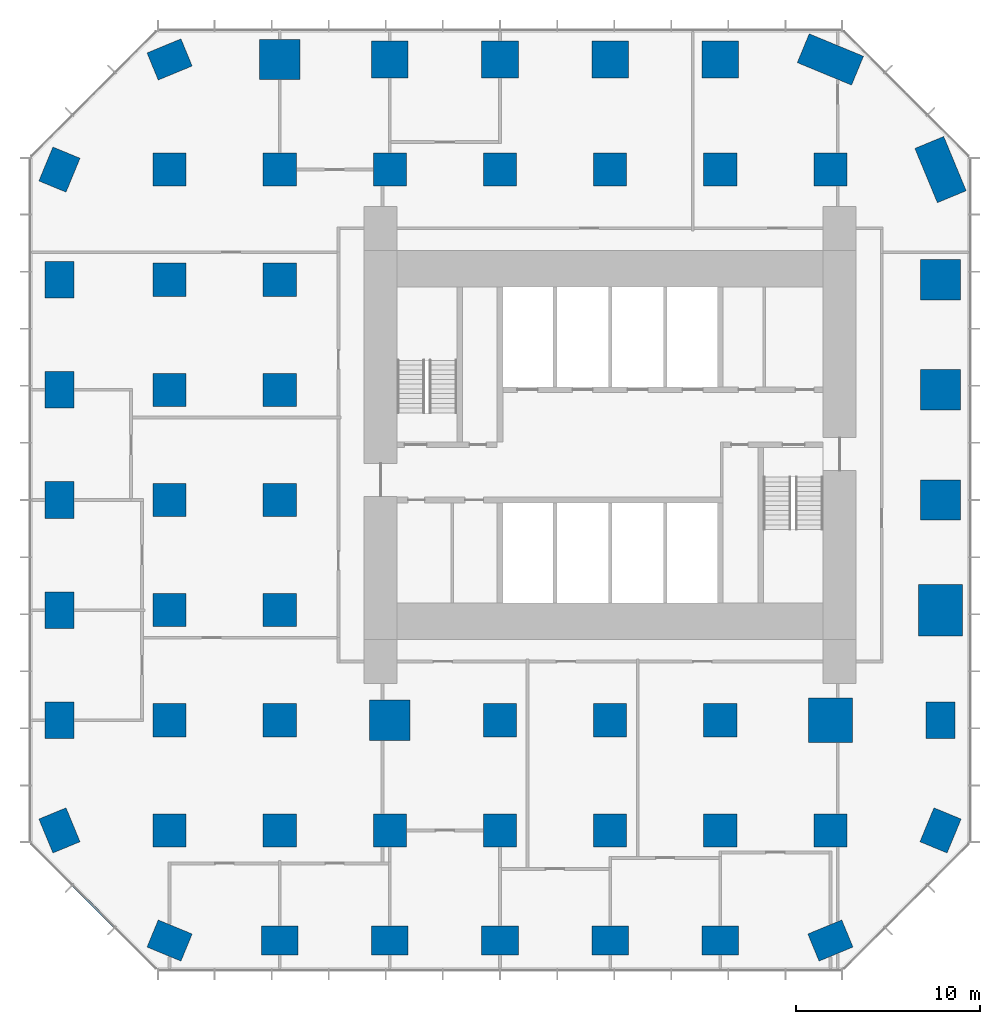
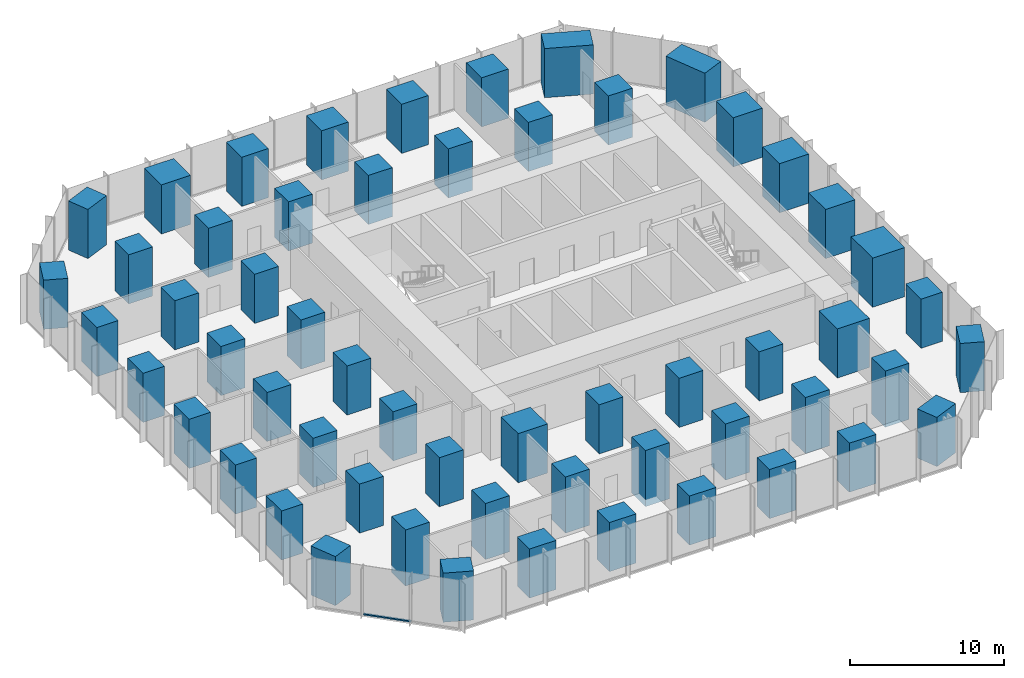
# One storey, part 1 of 12: 57 columns, 1 member, 1 element without a shape of its own.
"""IFC4 building model written with IfcOpenShell, lengths in metres."""

from ifc_helpers import new_model, si_unit, direction, frame, origin, origin_2d, place, context, subcontext, project, spatial, rectangle, extrude, material, layer, layer_set, material_profile, profile_set, type_object, element, aggregate, save


model = new_model("IFC4")

# Units and contexts
model_context = context("Model", 3, precision=1e-05, world=origin(), true_north=direction((0.0, 1.0)))
body_context = subcontext(model_context, "Body", "Model", "MODEL_VIEW")
ifc_project = project(units=[si_unit("LENGTHUNIT", "METRE"), si_unit("AREAUNIT", "SQUARE_METRE"), si_unit("VOLUMEUNIT", "CUBIC_METRE"), si_unit("PLANEANGLEUNIT", "RADIAN"), si_unit("MASSUNIT", "GRAM", prefix="KILO")], contexts=[model_context])

# Site, building, storey
site_placement = place(None, origin())
site = spatial("IfcSite", under=ifc_project, at=site_placement, CompositionType="ELEMENT")
building_placement = place(site_placement, origin())
building = spatial("IfcBuilding", under=site, at=building_placement, Name="Highveld Stack Headquarters", CompositionType="ELEMENT")
storey_placement = place(building_placement, frame((0.0, 0.0, 22.10009765625)))
storey = spatial("IfcBuildingStorey", under=building, at=storey_placement, Name="L04", CompositionType="ELEMENT", Elevation=22.10009765625)

# Columns
ifc_material_1 = material(Name="Concrete C60/75", Category="concrete")
ifc_material_profile_1 = material_profile(ifc_material_1, rectangle(XDim=1.800048828125, YDim=1.800048828125, at=origin_2d()), Name="RC 1800x1800")
ifc_profile_set_1 = profile_set([ifc_material_profile_1], Name="Concrete C60/75")
column_type_1 = type_object("IfcColumnType", Name="COLUMN RC 1800x1800 C60/75", PredefinedType="COLUMN", material=ifc_profile_set_1)
column_1_placement = place(storey_placement, frame((-18.0, -18.0, -0.550048828125), z_axis=(0.0, 0.0, 1.0), x_axis=(1.0, 0.0, 0.0)))
element("IfcColumn", 1, at=column_1_placement, inside=storey, type_object=column_type_1, Name="Column 3/B L04", PredefinedType="COLUMN", context=body_context, shape_type="SweptSolid", body=[
    extrude(rectangle(XDim=1.800048828125, YDim=1.800048828125, at=origin_2d()), origin(), (0.0, 0.0, 1.0), 4.449951171875),
])
for number, where, z_axis, x_axis, name in (
    (2, (-18.0, -12.0, 0.0), (0.0, 0.0, 1.0), (1.0, 0.0, 0.0), "Column 3/C L04"),
    (3, (-18.0, -6.0, 0.0), (0.0, 0.0, 1.0), (1.0, 0.0, 0.0), "Column 3/D L04"),
    (4, (-18.0, 0.0, 0.0), (0.0, 0.0, 1.0), (1.0, 0.0, 0.0), "Column 3/E L04"),
    (5, (-18.0, 6.0, 0.0), (0.0, 0.0, 1.0), (1.0, 0.0, 0.0), "Column 3/F L04"),
    (6, (-18.0, 12.0, 0.0), (0.0, 0.0, 1.0), (1.0, 0.0, 0.0), "Column 3/G L04"),
    (7, (-18.0, 18.0, 0.0), (0.0, 0.0, 1.0), (1.0, 0.0, 0.0), "Column 3/H L04"),
):
    element("IfcColumn", number, at=place(storey_placement, frame(where, z_axis=z_axis, x_axis=x_axis)), inside=storey, type_object=column_type_1, Name=name, PredefinedType="COLUMN", context=body_context, shape_type="SweptSolid", body=[
        extrude(rectangle(XDim=1.800048828125, YDim=1.800048828125, at=origin_2d()), origin(), (0.0, 0.0, 1.0), 3.89990234375),
    ])
column_2_placement = place(storey_placement, frame((-12.0, -18.0, -0.550048828125), z_axis=(0.0, 0.0, 1.0), x_axis=(1.0, 0.0, 0.0)))
element("IfcColumn", 8, at=column_2_placement, inside=storey, type_object=column_type_1, Name="Column 4/B L04", PredefinedType="COLUMN", context=body_context, shape_type="SweptSolid", body=[
    extrude(rectangle(XDim=1.800048828125, YDim=1.800048828125, at=origin_2d()), origin(), (0.0, 0.0, 1.0), 4.449951171875),
])
for number, where, z_axis, x_axis, name in (
    (9, (-12.0, -12.0, 0.0), (0.0, 0.0, 1.0), (1.0, 0.0, 0.0), "Column 4/C L04"),
    (10, (-12.0, -6.0, 0.0), (0.0, 0.0, 1.0), (1.0, 0.0, 0.0), "Column 4/D L04"),
    (11, (-12.0, 0.0, 0.0), (0.0, 0.0, 1.0), (1.0, 0.0, 0.0), "Column 4/E L04"),
    (12, (-12.0, 6.0, 0.0), (0.0, 0.0, 1.0), (1.0, 0.0, 0.0), "Column 4/F L04"),
    (13, (-12.0, 12.0, 0.0), (0.0, 0.0, 1.0), (1.0, 0.0, 0.0), "Column 4/G L04"),
    (14, (-12.0, 18.0, 0.0), (0.0, 0.0, 1.0), (1.0, 0.0, 0.0), "Column 4/H L04"),
):
    element("IfcColumn", number, at=place(storey_placement, frame(where, z_axis=z_axis, x_axis=x_axis)), inside=storey, type_object=column_type_1, Name=name, PredefinedType="COLUMN", context=body_context, shape_type="SweptSolid", body=[
        extrude(rectangle(XDim=1.800048828125, YDim=1.800048828125, at=origin_2d()), origin(), (0.0, 0.0, 1.0), 3.89990234375),
    ])
column_3_placement = place(storey_placement, frame((-6.0, -18.0, -0.550048828125), z_axis=(0.0, 0.0, 1.0), x_axis=(1.0, 0.0, 0.0)))
element("IfcColumn", 15, at=column_3_placement, inside=storey, type_object=column_type_1, Name="Column 5/B L04", PredefinedType="COLUMN", context=body_context, shape_type="SweptSolid", body=[
    extrude(rectangle(XDim=1.800048828125, YDim=1.800048828125, at=origin_2d()), origin(), (0.0, 0.0, 1.0), 4.449951171875),
])
column_4_placement = place(storey_placement, frame((-6.0, 18.0, 0.0), z_axis=(0.0, 0.0, 1.0), x_axis=(1.0, 0.0, 0.0)))
element("IfcColumn", 16, at=column_4_placement, inside=storey, type_object=column_type_1, Name="Column 5/H L04", PredefinedType="COLUMN", context=body_context, shape_type="SweptSolid", body=[
    extrude(rectangle(XDim=1.800048828125, YDim=1.800048828125, at=origin_2d()), origin(), (0.0, 0.0, 1.0), 3.89990234375),
])
column_5_placement = place(storey_placement, frame((0.0, -18.0, -0.550048828125), z_axis=(0.0, 0.0, 1.0), x_axis=(1.0, 0.0, 0.0)))
element("IfcColumn", 17, at=column_5_placement, inside=storey, type_object=column_type_1, Name="Column 6/B L04", PredefinedType="COLUMN", context=body_context, shape_type="SweptSolid", body=[
    extrude(rectangle(XDim=1.800048828125, YDim=1.800048828125, at=origin_2d()), origin(), (0.0, 0.0, 1.0), 4.449951171875),
])
for number, where, z_axis, x_axis, name in (
    (18, (0.0, -12.0, 0.0), (0.0, 0.0, 1.0), (1.0, 0.0, 0.0), "Column 6/C L04"),
    (19, (0.0, 18.0, 0.0), (0.0, 0.0, 1.0), (1.0, 0.0, 0.0), "Column 6/H L04"),
):
    element("IfcColumn", number, at=place(storey_placement, frame(where, z_axis=z_axis, x_axis=x_axis)), inside=storey, type_object=column_type_1, Name=name, PredefinedType="COLUMN", context=body_context, shape_type="SweptSolid", body=[
        extrude(rectangle(XDim=1.800048828125, YDim=1.800048828125, at=origin_2d()), origin(), (0.0, 0.0, 1.0), 3.89990234375),
    ])
column_6_placement = place(storey_placement, frame((6.0, -18.0, -0.550048828125), z_axis=(0.0, 0.0, 1.0), x_axis=(1.0, 0.0, 0.0)))
element("IfcColumn", 20, at=column_6_placement, inside=storey, type_object=column_type_1, Name="Column 7/B L04", PredefinedType="COLUMN", context=body_context, shape_type="SweptSolid", body=[
    extrude(rectangle(XDim=1.800048828125, YDim=1.800048828125, at=origin_2d()), origin(), (0.0, 0.0, 1.0), 4.449951171875),
])
for number, where, z_axis, x_axis, name in (
    (21, (6.0, -12.0, 0.0), (0.0, 0.0, 1.0), (1.0, 0.0, 0.0), "Column 7/C L04"),
    (22, (6.0, 18.0, 0.0), (0.0, 0.0, 1.0), (1.0, 0.0, 0.0), "Column 7/H L04"),
):
    element("IfcColumn", number, at=place(storey_placement, frame(where, z_axis=z_axis, x_axis=x_axis)), inside=storey, type_object=column_type_1, Name=name, PredefinedType="COLUMN", context=body_context, shape_type="SweptSolid", body=[
        extrude(rectangle(XDim=1.800048828125, YDim=1.800048828125, at=origin_2d()), origin(), (0.0, 0.0, 1.0), 3.89990234375),
    ])
column_7_placement = place(storey_placement, frame((12.0, -18.0, -0.550048828125), z_axis=(0.0, 0.0, 1.0), x_axis=(1.0, 0.0, 0.0)))
element("IfcColumn", 23, at=column_7_placement, inside=storey, type_object=column_type_1, Name="Column 8/B L04", PredefinedType="COLUMN", context=body_context, shape_type="SweptSolid", body=[
    extrude(rectangle(XDim=1.800048828125, YDim=1.800048828125, at=origin_2d()), origin(), (0.0, 0.0, 1.0), 4.449951171875),
])
for number, where, z_axis, x_axis, name in (
    (24, (12.0, -12.0, 0.0), (0.0, 0.0, 1.0), (1.0, 0.0, 0.0), "Column 8/C L04"),
    (25, (12.0, 18.0, 0.0), (0.0, 0.0, 1.0), (1.0, 0.0, 0.0), "Column 8/H L04"),
):
    element("IfcColumn", number, at=place(storey_placement, frame(where, z_axis=z_axis, x_axis=x_axis)), inside=storey, type_object=column_type_1, Name=name, PredefinedType="COLUMN", context=body_context, shape_type="SweptSolid", body=[
        extrude(rectangle(XDim=1.800048828125, YDim=1.800048828125, at=origin_2d()), origin(), (0.0, 0.0, 1.0), 3.89990234375),
    ])
column_8_placement = place(storey_placement, frame((18.0, -18.0, -0.550048828125), z_axis=(0.0, 0.0, 1.0), x_axis=(1.0, 0.0, 0.0)))
element("IfcColumn", 26, at=column_8_placement, inside=storey, type_object=column_type_1, Name="Column 9/B L04", PredefinedType="COLUMN", context=body_context, shape_type="SweptSolid", body=[
    extrude(rectangle(XDim=1.800048828125, YDim=1.800048828125, at=origin_2d()), origin(), (0.0, 0.0, 1.0), 4.449951171875),
])
column_9_placement = place(storey_placement, frame((18.0, 18.0, 0.0), z_axis=(0.0, 0.0, 1.0), x_axis=(1.0, 0.0, 0.0)))
element("IfcColumn", 27, at=column_9_placement, inside=storey, type_object=column_type_1, Name="Column 9/H L04", PredefinedType="COLUMN", context=body_context, shape_type="SweptSolid", body=[
    extrude(rectangle(XDim=1.800048828125, YDim=1.800048828125, at=origin_2d()), origin(), (0.0, 0.0, 1.0), 3.89990234375),
])
ifc_material_2 = material(Name="Concrete C60/75", Category="concrete")
ifc_material_profile_2 = material_profile(ifc_material_2, rectangle(XDim=2.0, YDim=1.60009765625, at=origin_2d()), Name="RC 2000x1600")
ifc_profile_set_2 = profile_set([ifc_material_profile_2], Name="Concrete C60/75")
column_type_2 = type_object("IfcColumnType", Name="COLUMN RC 2000x1600 C60/75", PredefinedType="COLUMN", material=ifc_profile_set_2)
for number, where, z_axis, x_axis, name in (
    (28, (-24.0, -18.0, 0.0), (0.0, 0.0, 1.0), (-0.382683432365, 0.923879532511, 0.0), "Column 2/B L04"),
    (29, (-24.0, -12.0, 0.0), (0.0, 0.0, 1.0), (0.0, 1.0, 0.0), "Column 2/C L04"),
    (30, (-24.0, -6.0, 0.0), (0.0, 0.0, 1.0), (0.0, 1.0, 0.0), "Column 2/D L04"),
    (31, (-24.0, 0.0, 0.0), (0.0, 0.0, 1.0), (0.0, 1.0, 0.0), "Column 2/E L04"),
    (32, (-24.0, 6.0, 0.0), (0.0, 0.0, 1.0), (0.0, 1.0, 0.0), "Column 2/F L04"),
    (33, (-24.0, 12.0, 0.0), (0.0, 0.0, 1.0), (0.0, 1.0, 0.0), "Column 2/G L04"),
    (34, (-24.0, 18.0, 0.0), (0.0, 0.0, 1.0), (0.382683432365, 0.923879532511, 0.0), "Column 2/H L04"),
    (35, (-18.0, -24.0, 0.0), (0.0, 0.0, 1.0), (-0.923879532511, 0.382683432365, 0.0), "Column 3/A L04"),
    (36, (-18.0, 24.0, 0.0), (0.0, 0.0, 1.0), (0.923879532511, 0.382683432365, 0.0), "Column 3/J L04"),
    (37, (-12.0, -24.0, 0.0), (0.0, 0.0, 1.0), (1.0, 0.0, 0.0), "Column 4/A L04"),
    (38, (-6.0, -24.0, 0.0), (0.0, 0.0, 1.0), (1.0, 0.0, 0.0), "Column 5/A L04"),
    (39, (0.0, -24.0, 0.0), (0.0, 0.0, 1.0), (1.0, 0.0, 0.0), "Column 6/A L04"),
    (40, (6.0, -24.0, 0.0), (0.0, 0.0, 1.0), (1.0, 0.0, 0.0), "Column 7/A L04"),
    (41, (12.0, -24.0, 0.0), (0.0, 0.0, 1.0), (1.0, 0.0, 0.0), "Column 8/A L04"),
    (42, (18.0, -24.0, 0.0), (0.0, 0.0, 1.0), (-0.923879532511, -0.382683432365, 0.0), "Column 9/A L04"),
    (43, (24.0, -18.0, 0.0), (0.0, 0.0, 1.0), (-0.382683432365, -0.923879532511, 0.0), "Column 10/B L04"),
    (44, (24.0, -12.0, 0.0), (0.0, 0.0, 1.0), (0.0, 1.0, 0.0), "Column 10/C L04"),
):
    element("IfcColumn", number, at=place(storey_placement, frame(where, z_axis=z_axis, x_axis=x_axis)), inside=storey, type_object=column_type_2, Name=name, PredefinedType="COLUMN", context=body_context, shape_type="SweptSolid", body=[
        extrude(rectangle(XDim=2.0, YDim=1.60009765625, at=origin_2d()), origin(), (0.0, 0.0, 1.0), 3.89990234375),
    ])
ifc_material_3 = material(Name="Concrete C60/75", Category="concrete")
ifc_material_profile_3 = material_profile(ifc_material_3, rectangle(XDim=2.0, YDim=2.0, at=origin_2d()), Name="RC 2000x2000")
ifc_profile_set_3 = profile_set([ifc_material_profile_3], Name="Concrete C60/75")
column_type_3 = type_object("IfcColumnType", Name="COLUMN RC 2000x2000 C60/75", PredefinedType="COLUMN", material=ifc_profile_set_3)
for number, where, z_axis, x_axis, name in (
    (45, (-6.0, 24.0, 0.0), (0.0, 0.0, 1.0), (1.0, 0.0, 0.0), "Column 5/J L04"),
    (46, (0.0, 24.0, 0.0), (0.0, 0.0, 1.0), (1.0, 0.0, 0.0), "Column 6/J L04"),
    (47, (6.0, 24.0, 0.0), (0.0, 0.0, 1.0), (1.0, 0.0, 0.0), "Column 7/J L04"),
    (48, (12.0, 24.0, 0.0), (0.0, 0.0, 1.0), (1.0, 0.0, 0.0), "Column 8/J L04"),
):
    element("IfcColumn", number, at=place(storey_placement, frame(where, z_axis=z_axis, x_axis=x_axis)), inside=storey, type_object=column_type_3, Name=name, PredefinedType="COLUMN", context=body_context, shape_type="SweptSolid", body=[
        extrude(rectangle(XDim=2.0, YDim=2.0, at=origin_2d()), origin(), (0.0, 0.0, 1.0), 3.89990234375),
    ])
ifc_material_4 = material(Name="Concrete C60/75", Category="concrete")
ifc_material_profile_4 = material_profile(ifc_material_4, rectangle(XDim=2.199951171875, YDim=2.199951171875, at=origin_2d()), Name="RC 2200x2200")
ifc_profile_set_4 = profile_set([ifc_material_profile_4], Name="Concrete C60/75")
column_type_4 = type_object("IfcColumnType", Name="COLUMN RC 2200x2200 C60/75", PredefinedType="COLUMN", material=ifc_profile_set_4)
for number, where, z_axis, x_axis, name in (
    (49, (-12.0, 24.0, 0.0), (0.0, 0.0, 1.0), (1.0, 0.0, 0.0), "Column 4/J L04"),
    (50, (-6.0, -12.0, 0.0), (0.0, 0.0, 1.0), (1.0, 0.0, 0.0), "Column 5/C L04"),
    (51, (24.0, 0.0, 0.0), (0.0, 0.0, 1.0), (1.0, 0.0, 0.0), "Column 10/E L04"),
    (52, (24.0, 6.0, 0.0), (0.0, 0.0, 1.0), (1.0, 0.0, 0.0), "Column 10/F L04"),
    (53, (24.0, 12.0, 0.0), (0.0, 0.0, 1.0), (1.0, 0.0, 0.0), "Column 10/G L04"),
):
    element("IfcColumn", number, at=place(storey_placement, frame(where, z_axis=z_axis, x_axis=x_axis)), inside=storey, type_object=column_type_4, Name=name, PredefinedType="COLUMN", context=body_context, shape_type="SweptSolid", body=[
        extrude(rectangle(XDim=2.199951171875, YDim=2.199951171875, at=origin_2d()), origin(), (0.0, 0.0, 1.0), 3.89990234375),
    ])
ifc_material_5 = material(Name="Concrete C60/75", Category="concrete")
ifc_material_profile_5 = material_profile(ifc_material_5, rectangle(XDim=2.39990234375, YDim=2.39990234375, at=origin_2d()), Name="RC 2400x2400")
ifc_profile_set_5 = profile_set([ifc_material_profile_5], Name="Concrete C60/75")
column_type_5 = type_object("IfcColumnType", Name="COLUMN RC 2400x2400 C60/75", PredefinedType="COLUMN", material=ifc_profile_set_5)
column_10_placement = place(storey_placement, frame((18.0, -12.0, 0.0), z_axis=(0.0, 0.0, 1.0), x_axis=(1.0, 0.0, 0.0)))
element("IfcColumn", 54, at=column_10_placement, inside=storey, type_object=column_type_5, Name="Column 9/C L04", PredefinedType="COLUMN", context=body_context, shape_type="SweptSolid", body=[
    extrude(rectangle(XDim=2.39990234375, YDim=2.39990234375, at=origin_2d()), origin(), (0.0, 0.0, 1.0), 3.89990234375),
])
ifc_material_6 = material(Name="Concrete C60/75", Category="concrete")
ifc_material_profile_6 = material_profile(ifc_material_6, rectangle(XDim=2.800048828125, YDim=2.39990234375, at=origin_2d()), Name="RC 2800x2400")
ifc_profile_set_6 = profile_set([ifc_material_profile_6], Name="Concrete C60/75")
column_type_6 = type_object("IfcColumnType", Name="COLUMN RC 2800x2400 C60/75", PredefinedType="COLUMN", material=ifc_profile_set_6)
column_11_placement = place(storey_placement, frame((24.0, -6.0, 0.0), z_axis=(0.0, 0.0, 1.0), x_axis=(0.0, 1.0, 0.0)))
element("IfcColumn", 55, at=column_11_placement, inside=storey, type_object=column_type_6, Name="Column 10/D L04", PredefinedType="COLUMN", context=body_context, shape_type="SweptSolid", body=[
    extrude(rectangle(XDim=2.800048828125, YDim=2.39990234375, at=origin_2d()), origin(), (0.0, 0.0, 1.0), 3.89990234375),
])
ifc_material_7 = material(Name="Concrete C60/75", Category="concrete")
ifc_material_profile_7 = material_profile(ifc_material_7, rectangle(XDim=3.199951171875, YDim=1.699951171875, at=origin_2d()), Name="RC 3200x1700")
ifc_profile_set_7 = profile_set([ifc_material_profile_7], Name="Concrete C60/75")
column_type_7 = type_object("IfcColumnType", Name="COLUMN RC 3200x1700 C60/75", PredefinedType="COLUMN", material=ifc_profile_set_7)
for number, where, z_axis, x_axis, name in (
    (56, (18.0, 24.0, 0.0), (0.0, 0.0, 1.0), (0.923879532511, -0.382683432365, 0.0), "Column 9/J L04"),
    (57, (24.0, 18.0, 0.0), (0.0, 0.0, 1.0), (0.382683432365, -0.923879532511, 0.0), "Column 10/H L04"),
):
    element("IfcColumn", number, at=place(storey_placement, frame(where, z_axis=z_axis, x_axis=x_axis)), inside=storey, type_object=column_type_7, Name=name, PredefinedType="COLUMN", context=body_context, shape_type="SweptSolid", body=[
        extrude(rectangle(XDim=3.199951171875, YDim=1.699951171875, at=origin_2d()), origin(), (0.0, 0.0, 1.0), 3.89990234375),
    ])

# Curtain wall, member
ifc_material_8 = material(Name="Aluminium bronze anodised", Category="aluminium")
ifc_layer = layer(ifc_material_8, 0.199951171875)
ifc_layer_set = layer_set([ifc_layer], Name="Aluminium bronze anodised")
curtain_wall_type = type_object("IfcCurtainWallType", Name="CW2 TOWER CHAMFER UNITISED CURTAIN WALL", PredefinedType="NOTDEFINED", material=ifc_layer_set)
curtain_wall_placement = place(storey_placement, origin())
curtain_wall = element("IfcCurtainWall", 58, at=curtain_wall_placement, inside=storey, type_object=curtain_wall_type, Name="Curtain wall CW2 L04 SW", PredefinedType="NOTDEFINED")
ifc_material_9 = material(Name="Aluminium bronze anodised", Category="aluminium")
ifc_material_profile_8 = material_profile(ifc_material_9, rectangle(XDim=0.14990234375, YDim=0.10009765625, at=origin_2d()), Name="CW2 TRANSOM 150x100")
ifc_profile_set_8 = profile_set([ifc_material_profile_8], Name="Aluminium bronze anodised")
member_type = type_object("IfcMemberType", Name="CW2 STACK TRANSOM 150x100", PredefinedType="USERDEFINED", material=ifc_profile_set_8)
member_placement = place(storey_placement, frame((-23.2646484375, -20.998046875, 0.0498046875), z_axis=(0.707106781187, -0.707106781187, 0.0), x_axis=(0.707106781187, 0.707106781187, 0.0)))
member = element("IfcMember", 59, at=member_placement, type_object=member_type, Name="CW2 transom L04 2.1", ObjectType="TRANSOM", PredefinedType="USERDEFINED", context=body_context, shape_type="SweptSolid", body=[
    extrude(rectangle(XDim=0.14990234375, YDim=0.10009765625, at=origin_2d()), origin(), (0.0, 0.0, 1.0), 3.20556640625),
])
aggregate(curtain_wall, [member])

save(model, "model.ifc")
